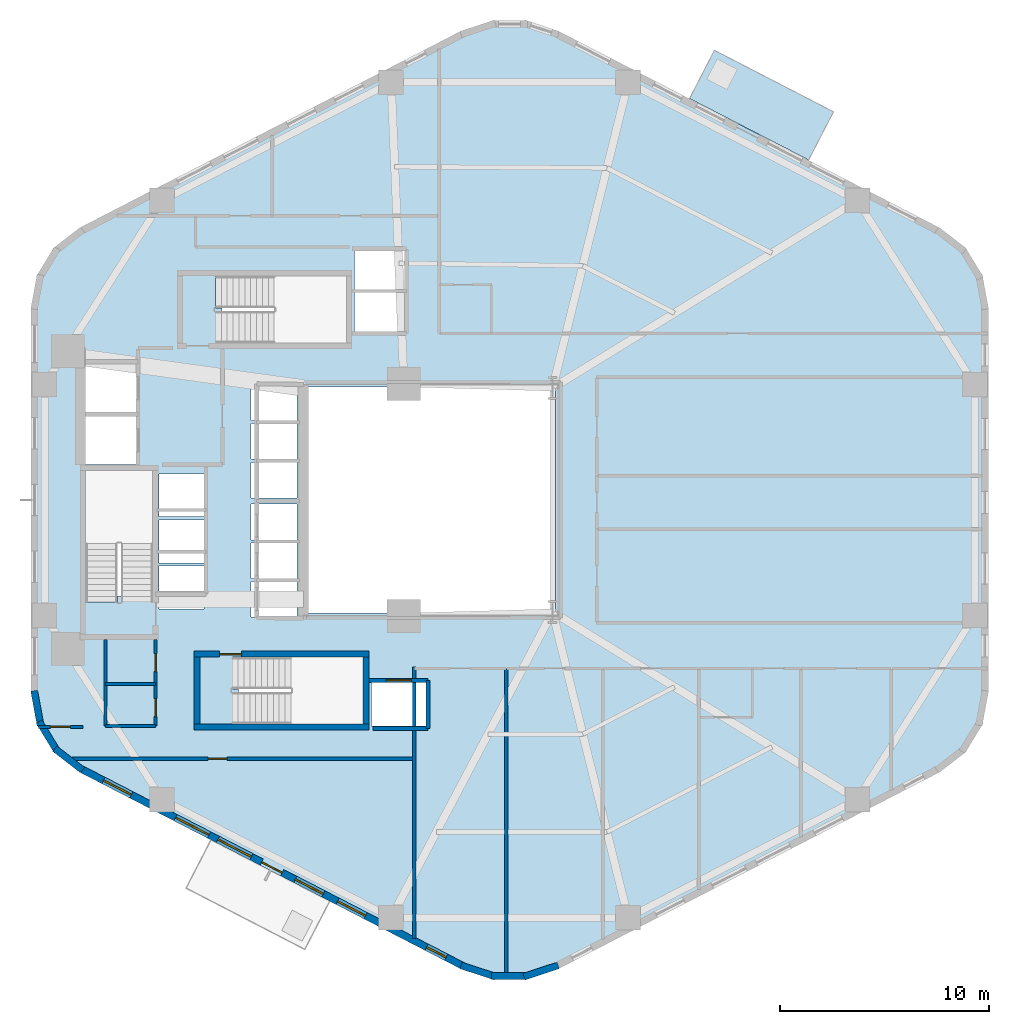
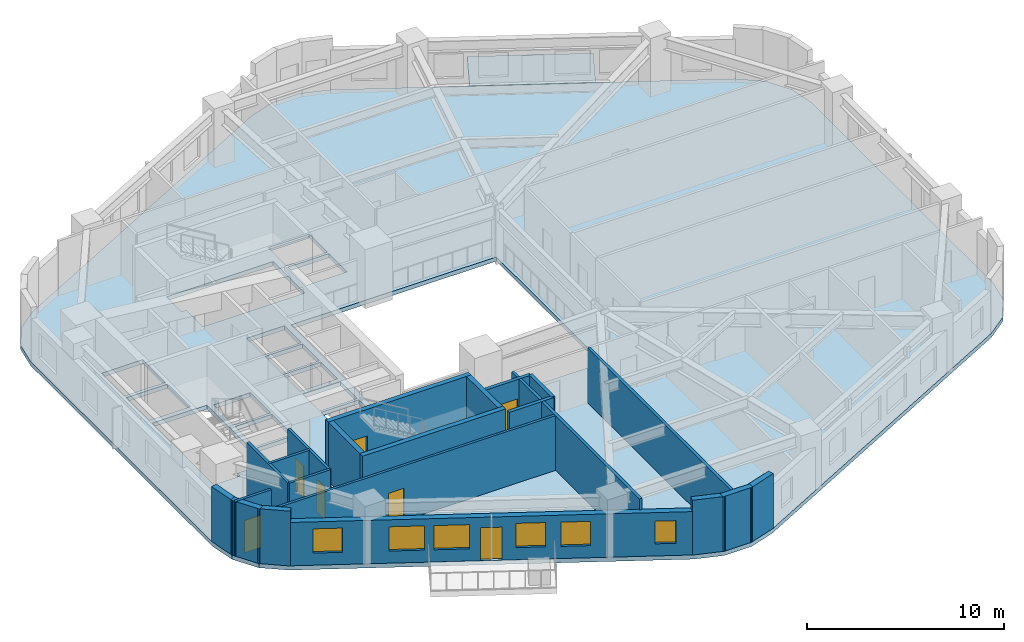
# One storey, part 2 of 8: 22 walls, 7 doors, 6 windows, 2 slabs, 13 openings.
"""IFC4 building model written with IfcOpenShell, lengths in metres."""

from ifc_helpers import new_model, si_unit, direction, frame, frame_2d, origin, place, context, subcontext, project, spatial, polyline, rectangle, outline, extrude, material, layer, layer_set, type_object, element, fill, save


model = new_model("IFC4")

# Units and contexts
model_context = context("Model", 3, precision=1e-05, world=origin(), true_north=direction((0.0, 1.0)))
body_context = subcontext(model_context, "Body", "Model", "MODEL_VIEW")
ifc_project = project(units=[si_unit("LENGTHUNIT", "METRE"), si_unit("AREAUNIT", "SQUARE_METRE"), si_unit("VOLUMEUNIT", "CUBIC_METRE"), si_unit("PLANEANGLEUNIT", "RADIAN"), si_unit("MASSUNIT", "GRAM", prefix="KILO"), si_unit("THERMODYNAMICTEMPERATUREUNIT", "KELVIN"), si_unit("POWERUNIT", "WATT")], contexts=[model_context])

# Site, building, storey
site_placement = place(None, origin())
site = spatial("IfcSite", under=ifc_project, at=site_placement, CompositionType="ELEMENT")
building_placement = place(site_placement, origin())
building = spatial("IfcBuilding", under=site, at=building_placement, Name="Skarre Station Tower", CompositionType="ELEMENT")
storey_placement = place(building_placement, frame((0.0, 0.0, 81.75)))
storey = spatial("IfcBuildingStorey", under=building, at=storey_placement, Name="L21", CompositionType="ELEMENT", Elevation=81.75)

# Slabs
ifc_material_1 = material(Name="Precast concrete C50/60", Category="concrete")
ifc_layer_1 = layer(ifc_material_1, 0.340087890625, Name="Precast concrete C50/60")
ifc_layer_set_1 = layer_set([ifc_layer_1], Name="Precast concrete C50/60")
slab_type_1 = type_object("IfcSlabType", Name="Planted Tree-Balcony Cantilever Slab 340", PredefinedType="FLOOR", material=ifc_layer_set_1)
slab_1_placement = place(storey_placement, frame((0.0, 0.0, -0.340087890625)))
element("IfcSlab", 1, at=slab_1_placement, inside=storey, type_object=slab_type_1, Name="L21 Planted Tree-Balcony Deck TB-L21-F0", PredefinedType="FLOOR", context=body_context, shape_type="SweptSolid", body=[
    extrude(outline(polyline([(51.679931640625, 40.240966796875), (45.991943359375, 43.176025390625), (47.179931640625, 45.47802734375), (52.867919921875, 42.54296875), (51.679931640625, 40.240966796875)])), origin(), (0.0, 0.0, 1.0), 0.340087890625),
])
ifc_material_2 = material(Name="Concrete C50/60", Category="concrete")
ifc_layer_2 = layer(ifc_material_2, 0.260009765625, Name="Concrete C50/60")
ifc_layer_set_2 = layer_set([ifc_layer_2], Name="Concrete C50/60")
slab_type_2 = type_object("IfcSlabType", Name="Tower Typical Composite Floor Slab 260", PredefinedType="FLOOR", material=ifc_layer_set_2)
slab_2_placement = place(storey_placement, frame((0.0, 0.0, -0.260009765625)))
element("IfcSlab", 2, at=slab_2_placement, inside=storey, type_object=slab_type_2, Name="L21 Zone 1 Structural Floor Slab", PredefinedType="FLOOR", context=body_context, shape_type="SweptSolid", body=[
    extrude(outline(polyline([(60.262939453125, 33.201904296875), (59.98193359375, 34.72412109375), (59.177001953125, 36.044921875), (57.9541015625, 36.991943359375), (39.708984375, 46.407958984375), (38.196044921875, 46.906005859375), (36.60400390625, 46.906005859375), (35.091064453125, 46.407958984375), (16.845947265625, 36.991943359375), (15.623046875, 36.044921875), (14.818115234375, 34.72412109375), (14.537109375, 33.201904296875), (14.537109375, 14.798095703125), (14.818115234375, 13.27587890625), (15.623046875, 11.955078125), (16.845947265625, 11.008056640625), (35.091064453125, 1.592041015625), (36.60400390625, 1.093994140625), (38.196044921875, 1.093994140625), (39.708984375, 1.592041015625), (57.9541015625, 11.008056640625), (59.177001953125, 11.955078125), (59.98193359375, 13.27587890625), (60.262939453125, 14.798095703125), (60.262939453125, 33.201904296875)]), holes=[polyline([(18.669921875, 19.419921875), (18.669921875, 19.123046875), (17.14990234375, 19.123046875), (17.14990234375, 25.39990234375), (20.35009765625, 25.39990234375), (20.35009765625, 19.419921875), (18.669921875, 19.419921875)]), polyline([(24.449951171875, 14.97998046875), (24.153076171875, 14.97998046875), (24.153076171875, 16.5), (30.39990234375, 16.5), (30.39990234375, 13.300048828125), (24.449951171875, 13.300048828125), (24.449951171875, 14.97998046875)]), polyline([(23.64990234375, 33.179931640625), (23.35302734375, 33.179931640625), (23.35302734375, 34.699951171875), (29.60009765625, 34.699951171875), (29.60009765625, 31.5), (23.64990234375, 31.5), (23.64990234375, 33.179931640625)]), polyline([(17.14990234375, 28.0), (19.550048828125, 28.0), (19.550048828125, 25.699951171875), (17.14990234375, 25.699951171875), (17.14990234375, 28.0)]), polyline([(17.14990234375, 30.5), (19.550048828125, 30.5), (19.550048828125, 28.199951171875), (17.14990234375, 28.199951171875), (17.14990234375, 30.5)]), polyline([(30.800048828125, 15.300048828125), (33.39990234375, 15.300048828125), (33.39990234375, 13.199951171875), (30.800048828125, 13.199951171875), (30.800048828125, 15.300048828125)]), polyline([(25.050048828125, 20.10009765625), (27.25, 20.10009765625), (27.25, 18.39990234375), (25.050048828125, 18.39990234375), (25.050048828125, 20.10009765625)]), polyline([(25.050048828125, 21.949951171875), (27.25, 21.949951171875), (27.25, 20.25), (25.050048828125, 20.25), (25.050048828125, 21.949951171875)]), polyline([(25.050048828125, 23.800048828125), (27.25, 23.800048828125), (27.25, 22.10009765625), (25.050048828125, 22.10009765625), (25.050048828125, 23.800048828125)]), polyline([(25.050048828125, 25.800048828125), (27.25, 25.800048828125), (27.25, 24.10009765625), (25.050048828125, 24.10009765625), (25.050048828125, 25.800048828125)]), polyline([(25.050048828125, 27.64990234375), (27.25, 27.64990234375), (27.25, 25.949951171875), (25.050048828125, 25.949951171875), (25.050048828125, 27.64990234375)]), polyline([(25.050048828125, 29.5), (27.25, 29.5), (27.25, 27.800048828125), (25.050048828125, 27.800048828125), (25.050048828125, 29.5)]), polyline([(20.64990234375, 20.85009765625), (22.800048828125, 20.85009765625), (22.800048828125, 18.800048828125), (20.64990234375, 18.800048828125), (20.64990234375, 20.85009765625)]), polyline([(20.64990234375, 23.050048828125), (22.800048828125, 23.050048828125), (22.800048828125, 21.0), (20.64990234375, 21.0), (20.64990234375, 23.050048828125)]), polyline([(20.64990234375, 25.25), (22.800048828125, 25.25), (22.800048828125, 23.199951171875), (20.64990234375, 23.199951171875), (20.64990234375, 25.25)]), polyline([(30.0, 33.89990234375), (32.39990234375, 33.89990234375), (32.39990234375, 32.050048828125), (30.0, 32.050048828125), (30.0, 33.89990234375)]), polyline([(30.0, 35.89990234375), (32.39990234375, 35.89990234375), (32.39990234375, 34.050048828125), (30.0, 34.050048828125), (30.0, 35.89990234375)]), polyline([(27.60009765625, 29.39990234375), (39.60009765625, 29.39990234375), (39.60009765625, 18.60009765625), (27.60009765625, 18.60009765625), (27.60009765625, 29.39990234375)])]), origin(), (0.0, 0.0, 1.0), 0.260009765625),
])

# Walls
ifc_material_3 = material(Name="Acoustic Steel-Stud Gypsum Partition", Category="steel")
ifc_layer_3 = layer(ifc_material_3, 0.14990234375, Name="Acoustic Steel-Stud Gypsum Partition")
ifc_layer_set_3 = layer_set([ifc_layer_3], Name="Acoustic Steel-Stud Gypsum Partition")
wall_type_1 = type_object("IfcWallType", Name="Fire-Rated Corridor Acoustic Partition 150", PredefinedType="PARTITIONING", material=ifc_layer_set_3)
wall_1_placement = place(storey_placement, frame((18.10009765625, 17.340087890625, 0.0), z_axis=(0.0, 0.0, 1.0), x_axis=(0.0, -1.0, 0.0)))
element("IfcWall", 3, at=wall_1_placement, inside=storey, type_object=wall_type_1, Name="L21 Interior Partition WL-PT-L21-CSVC-W", PredefinedType="PARTITIONING", context=body_context, shape_type="SweptSolid", body=[
    extrude(rectangle(XDim=4.14013671875, YDim=0.14990234375, at=frame_2d((2.070068359375, 0.0))), origin(), (0.0, 0.0, 1.0), 3.389892578125),
])
for number, where, z_axis, x_axis, name in (
    (4, (18.10009765625, 13.199951171875, 0.0), (0.0, 0.0, 1.0), (1.0, 0.0, 0.0), "L21 Interior Partition WL-PT-L21-CSVC-S"),
    (5, (18.10009765625, 15.219970703125, 0.0), (0.0, 0.0, 1.0), (1.0, 0.0, 0.0), "L21 Interior Partition WL-PT-L21-CSVC-M"),
):
    element("IfcWall", number, at=place(storey_placement, frame(where, z_axis=z_axis, x_axis=x_axis)), inside=storey, type_object=wall_type_1, Name=name, PredefinedType="PARTITIONING", context=body_context, shape_type="SweptSolid", body=[
        extrude(rectangle(XDim=2.389892578125, YDim=0.14990234375, at=frame_2d((1.19482421875, 0.0))), origin(), (0.0, 0.0, 1.0), 3.389892578125),
    ])

# Wall, openings, doors
wall_2_placement = place(storey_placement, frame((20.489990234375, 13.199951171875, 0.0), z_axis=(0.0, 0.0, 1.0), x_axis=(0.0, 1.0, 0.0)))
wall_2 = element("IfcWall", 6, at=wall_2_placement, inside=storey, type_object=wall_type_1, Name="L21 Interior Partition WL-PT-L21-CSVC-E", PredefinedType="PARTITIONING", context=body_context, shape_type="SweptSolid", body=[
    extrude(rectangle(XDim=4.14013671875, YDim=0.14990234375, at=frame_2d((2.070068359375, 0.0))), origin(), (0.0, 0.0, 1.0), 3.389892578125),
])
opening_1_placement = place(wall_2_placement, frame((0.449951171875, 0.0, 0.0)))
opening_1 = element("IfcOpeningElement", 7, at=opening_1_placement, cuts=wall_2, Name="Opening DR-SVC86", PredefinedType="OPENING", context=body_context, shape_type="SweptSolid", body=[
    extrude(rectangle(XDim=0.860107421875, YDim=2.0, at=frame_2d((0.43017578125, 1.0))), frame((0.0, 0.0849609375, 0.0), z_axis=(0.0, -1.0, 0.0), x_axis=(1.0, 0.0, 0.0)), (0.0, 0.0, 1.0), 0.169921875),
])
opening_2_placement = place(wall_2_placement, frame((2.60009765625, 0.0, 0.0)))
opening_2 = element("IfcOpeningElement", 8, at=opening_2_placement, cuts=wall_2, Name="Opening DR-SVC86", PredefinedType="OPENING", context=body_context, shape_type="SweptSolid", body=[
    extrude(rectangle(XDim=0.860107421875, YDim=2.0, at=frame_2d((0.43017578125, 1.0))), frame((0.0, 0.0849609375, 0.0), z_axis=(0.0, -1.0, 0.0), x_axis=(1.0, 0.0, 0.0)), (0.0, 0.0, 1.0), 0.169921875),
])
ifc_material_4 = material(Name="Powder-Coated Hollow-Metal Acoustic Fire Leaf", Category="steel")
door_type_1 = type_object("IfcDoorType", Name="Compact Riser Fire Door FD60 860x2100", OperationType="SINGLE_SWING_LEFT", PredefinedType="DOOR", material=ifc_material_4)
door_1_placement = place(opening_1_placement, origin())
door_1 = element("IfcDoor", 9, at=door_1_placement, inside=storey, type_object=door_type_1, Name="L21 Vending Room Door", OperationType="SINGLE_SWING_LEFT", OverallHeight=2.0, OverallWidth=0.860107421875, PredefinedType="DOOR", context=body_context, shape_type="SweptSolid", body=[
    extrude(rectangle(XDim=0.860107421875, YDim=2.0, at=frame_2d((0.43017578125, 1.0))), frame((0.0, 0.02490234375, 0.0), z_axis=(0.0, -1.0, 0.0), x_axis=(1.0, 0.0, 0.0)), (0.0, 0.0, 1.0), 0.050048828125),
])
fill(opening_1, door_1)
door_2_placement = place(opening_2_placement, origin())
door_2 = element("IfcDoor", 10, at=door_2_placement, inside=storey, type_object=door_type_1, Name="L21 Linen Storage Door", OperationType="SINGLE_SWING_LEFT", OverallHeight=2.0, OverallWidth=0.860107421875, PredefinedType="DOOR", context=body_context, shape_type="SweptSolid", body=[
    extrude(rectangle(XDim=0.860107421875, YDim=2.0, at=frame_2d((0.43017578125, 1.0))), frame((0.0, 0.02490234375, 0.0), z_axis=(0.0, -1.0, 0.0), x_axis=(1.0, 0.0, 0.0)), (0.0, 0.0, 1.0), 0.050048828125),
])
fill(opening_2, door_2)

# Wall, opening, door
wall_3_placement = place(storey_placement, frame((16.487060546875, 11.639892578125, 0.0), z_axis=(0.0, 0.0, 1.0), x_axis=(1.0, 0.0, 0.0)))
wall_3 = element("IfcWall", 11, at=wall_3_placement, inside=storey, type_object=wall_type_1, Name="L21 Interior Partition WL-PT-L21-SWP-N", PredefinedType="PARTITIONING", context=body_context, shape_type="SweptSolid", body=[
    extrude(rectangle(XDim=16.363037109375, YDim=0.14990234375, at=frame_2d((8.181640625, 0.0))), origin(), (0.0, 0.0, 1.0), 3.389892578125),
])
opening_3_placement = place(wall_3_placement, frame((6.512939453125, 0.0, 0.0)))
opening_3 = element("IfcOpeningElement", 12, at=opening_3_placement, cuts=wall_3, Name="Opening DR-SVC90", PredefinedType="OPENING", context=body_context, shape_type="SweptSolid", body=[
    extrude(rectangle(XDim=0.89990234375, YDim=2.0, at=frame_2d((0.449951171875, 1.0))), frame((0.0, 0.0849609375, 0.0), z_axis=(0.0, -1.0, 0.0), x_axis=(1.0, 0.0, 0.0)), (0.0, 0.0, 1.0), 0.169921875),
])
door_type_2 = type_object("IfcDoorType", Name="Service & Riser Fire Door FD60 900x2100", OperationType="SINGLE_SWING_LEFT", PredefinedType="DOOR", material=ifc_material_4)
door_3_placement = place(opening_3_placement, origin())
door_3 = element("IfcDoor", 13, at=door_3_placement, inside=storey, type_object=door_type_2, Name="L21 Floor Public Toilets Door", OperationType="SINGLE_SWING_LEFT", OverallHeight=2.0, OverallWidth=0.89990234375, PredefinedType="DOOR", context=body_context, shape_type="SweptSolid", body=[
    extrude(rectangle(XDim=0.89990234375, YDim=2.0, at=frame_2d((0.449951171875, 1.0))), frame((0.0, 0.02490234375, 0.0), z_axis=(0.0, -1.0, 0.0), x_axis=(1.0, 0.0, 0.0)), (0.0, 0.0, 1.0), 0.050048828125),
])
fill(opening_3, door_3)

wall_4_placement = place(storey_placement, frame((17.02001953125, 13.159912109375, 0.0), z_axis=(0.0, 0.0, 1.0), x_axis=(-1.0, 0.0, 0.0)))
wall_4 = element("IfcWall", 14, at=wall_4_placement, inside=storey, type_object=wall_type_1, Name="L21 Interior Partition WL-PT-L21-WW1-CW", PredefinedType="PARTITIONING", context=body_context, shape_type="SweptSolid", body=[
    extrude(rectangle(XDim=2.1201171875, YDim=0.14990234375, at=frame_2d((1.06005859375, 0.0))), origin(), (0.0, 0.0, 1.0), 3.389892578125),
])
opening_4_placement = place(wall_4_placement, frame((0.596923828125, 0.0, 0.0)))
opening_4 = element("IfcOpeningElement", 15, at=opening_4_placement, cuts=wall_4, Name="Opening DR-FD60", PredefinedType="OPENING", context=body_context, shape_type="SweptSolid", body=[
    extrude(rectangle(XDim=0.9599609375, YDim=2.0, at=frame_2d((0.47998046875, 1.0))), frame((0.0, 0.0849609375, 0.0), z_axis=(0.0, -1.0, 0.0), x_axis=(1.0, 0.0, 0.0)), (0.0, 0.0, 1.0), 0.169921875),
])
ifc_material_5 = material(Name="Nordic White-Oak Veneer Solid-Core Fire Leaf", Category="wood")
door_type_3 = type_object("IfcDoorType", Name="Corridor Suite Entry Fire Door FD60 960x2150", OperationType="SINGLE_SWING_LEFT", PredefinedType="DOOR", material=ifc_material_5)
door_4_placement = place(opening_4_placement, origin())
door_4 = element("IfcDoor", 16, at=door_4_placement, inside=storey, type_object=door_type_3, Name="L21 WW1 Entry Door", OperationType="SINGLE_SWING_LEFT", OverallHeight=2.0, OverallWidth=0.9599609375, PredefinedType="DOOR", context=body_context, shape_type="SweptSolid", body=[
    extrude(rectangle(XDim=0.9599609375, YDim=2.0, at=frame_2d((0.47998046875, 1.0))), frame((0.0, 0.02490234375, 0.0), z_axis=(0.0, -1.0, 0.0), x_axis=(1.0, 0.0, 0.0)), (0.0, 0.0, 1.0), 0.050048828125),
])
fill(opening_4, door_4)

# Wall, openings, windows, door
ifc_material_6 = material(Name="Precast concrete C45/55", Category="concrete")
ifc_layer_4 = layer(ifc_material_6, 0.340087890625, Name="Precast concrete C45/55")
ifc_layer_set_4 = layer_set([ifc_layer_4], Name="Precast concrete C45/55")
wall_type_2 = type_object("IfcWallType", Name="Nordic Honed Precast Facet Wall 340", PredefinedType="STANDARD", material=ifc_layer_set_4)
wall_5_placement = place(storey_placement, frame((35.1689453125, 1.742919921875, 0.0), z_axis=(0.0, 0.0, 1.0), x_axis=(-0.888634413993, 0.458616264721, 0.0)))
wall_5 = element("IfcWall", 17, at=wall_5_placement, inside=storey, type_object=wall_type_2, Name="L21 Facet 3 Nordic Precast Masonry Wall", PredefinedType="STANDARD", context=body_context, shape_type="SweptSolid", body=[
    extrude(rectangle(XDim=20.53125, YDim=0.340087890625, at=frame_2d((10.265625, 0.0))), origin(), (0.0, 0.0, 1.0), 2.68408203125),
])
opening_5_placement = place(wall_5_placement, frame((9.716064453125, 0.0, 0.0)))
opening_5 = element("IfcOpeningElement", 18, at=opening_5_placement, cuts=wall_5, Name="Opening DR-BAL110", PredefinedType="OPENING", context=body_context, shape_type="SweptSolid", body=[
    extrude(rectangle(XDim=1.10009765625, YDim=2.0400390625, at=frame_2d((0.550048828125, 1.02001953125))), frame((0.0, 0.179931640625, 0.0), z_axis=(0.0, -1.0, 0.0), x_axis=(1.0, 0.0, 0.0)), (0.0, 0.0, 1.0), 0.360107421875),
])
opening_6_placement = place(wall_5_placement, frame((0.902099609375, 0.0, 0.75)))
opening_6 = element("IfcOpeningElement", 19, at=opening_6_placement, cuts=wall_5, Name="Opening WN-SLT", PredefinedType="OPENING", context=body_context, shape_type="SweptSolid", body=[
    extrude(rectangle(XDim=1.050048828125, YDim=1.39990234375, at=frame_2d((0.52490234375, 0.699951171875))), frame((0.0, 0.179931640625, 0.0), z_axis=(0.0, -1.0, 0.0), x_axis=(1.0, 0.0, 0.0)), (0.0, 0.0, 1.0), 0.360107421875),
])
opening_7_placement = place(wall_5_placement, frame((5.23388671875, 0.0, 0.75)))
opening_7 = element("IfcOpeningElement", 20, at=opening_7_placement, cuts=wall_5, Name="Opening WN-Z1B", PredefinedType="OPENING", context=body_context, shape_type="SweptSolid", body=[
    extrude(rectangle(XDim=1.5, YDim=1.5, at=frame_2d((0.75, 0.75))), frame((0.0, 0.179931640625, 0.0), z_axis=(0.0, -1.0, 0.0), x_axis=(1.0, 0.0, 0.0)), (0.0, 0.0, 1.0), 0.360107421875),
])
opening_8_placement = place(wall_5_placement, frame((7.509033203125, 0.0, 0.75)))
opening_8 = element("IfcOpeningElement", 21, at=opening_8_placement, cuts=wall_5, Name="Opening WN-Z1B", PredefinedType="OPENING", context=body_context, shape_type="SweptSolid", body=[
    extrude(rectangle(XDim=1.5, YDim=1.5, at=frame_2d((0.75, 0.75))), frame((0.0, 0.179931640625, 0.0), z_axis=(0.0, -1.0, 0.0), x_axis=(1.0, 0.0, 0.0)), (0.0, 0.0, 1.0), 0.360107421875),
])
opening_9_placement = place(wall_5_placement, frame((11.373046875, 0.0, 0.75)))
opening_9 = element("IfcOpeningElement", 22, at=opening_9_placement, cuts=wall_5, Name="Opening WN-Z1A", PredefinedType="OPENING", context=body_context, shape_type="SweptSolid", body=[
    extrude(rectangle(XDim=1.800048828125, YDim=1.5, at=frame_2d((0.89990234375, 0.75))), frame((0.0, 0.179931640625, 0.0), z_axis=(0.0, -1.0, 0.0), x_axis=(1.0, 0.0, 0.0)), (0.0, 0.0, 1.0), 0.360107421875),
])
opening_10_placement = place(wall_5_placement, frame((13.64794921875, 0.0, 0.75)))
opening_10 = element("IfcOpeningElement", 23, at=opening_10_placement, cuts=wall_5, Name="Opening WN-Z1A", PredefinedType="OPENING", context=body_context, shape_type="SweptSolid", body=[
    extrude(rectangle(XDim=1.800048828125, YDim=1.5, at=frame_2d((0.89990234375, 0.75))), frame((0.0, 0.179931640625, 0.0), z_axis=(0.0, -1.0, 0.0), x_axis=(1.0, 0.0, 0.0)), (0.0, 0.0, 1.0), 0.360107421875),
])
opening_11_placement = place(wall_5_placement, frame((17.822998046875, 0.0, 0.75)))
opening_11 = element("IfcOpeningElement", 24, at=opening_11_placement, cuts=wall_5, Name="Opening WN-Z1B", PredefinedType="OPENING", context=body_context, shape_type="SweptSolid", body=[
    extrude(rectangle(XDim=1.5, YDim=1.5, at=frame_2d((0.75, 0.75))), frame((0.0, 0.179931640625, 0.0), z_axis=(0.0, -1.0, 0.0), x_axis=(1.0, 0.0, 0.0)), (0.0, 0.0, 1.0), 0.360107421875),
])
ifc_material_7 = material(Name="Low-Iron Triple Glazing with Bronze Anodized Frame", Category="glass")
window_type_1 = type_object("IfcWindowType", Name="Nordic Corner Slot Window 1050x1400", PartitioningType="SINGLE_PANEL", PredefinedType="WINDOW", material=ifc_material_7)
window_1_placement = place(opening_6_placement, origin())
window_1 = element("IfcWindow", 25, at=window_1_placement, inside=storey, type_object=window_type_1, Name="L21 Facade Window WL-FAC-L21-F3-1", OverallHeight=1.39990234375, OverallWidth=1.050048828125, PartitioningType="SINGLE_PANEL", PredefinedType="WINDOW", context=body_context, shape_type="SweptSolid", body=[
    extrude(rectangle(XDim=1.050048828125, YDim=1.39990234375, at=frame_2d((0.52490234375, 0.699951171875))), frame((0.0, 0.030029296875, 0.0), z_axis=(0.0, -1.0, 0.0), x_axis=(1.0, 0.0, 0.0)), (0.0, 0.0, 1.0), 0.06005859375),
])
fill(opening_6, window_1)
window_type_2 = type_object("IfcWindowType", Name="Nordic Punched Triple-Glazed Window 1500x1500", PartitioningType="SINGLE_PANEL", PredefinedType="WINDOW", material=ifc_material_7)
window_2_placement = place(opening_7_placement, origin())
window_2 = element("IfcWindow", 26, at=window_2_placement, inside=storey, type_object=window_type_2, Name="L21 Facade Window WL-FAC-L21-F3-2", OverallHeight=1.5, OverallWidth=1.5, PartitioningType="SINGLE_PANEL", PredefinedType="WINDOW", context=body_context, shape_type="SweptSolid", body=[
    extrude(rectangle(XDim=1.5, YDim=1.5, at=frame_2d((0.75, 0.75))), frame((0.0, 0.030029296875, 0.0), z_axis=(0.0, -1.0, 0.0), x_axis=(1.0, 0.0, 0.0)), (0.0, 0.0, 1.0), 0.06005859375),
])
fill(opening_7, window_2)
window_3_placement = place(opening_8_placement, origin())
window_3 = element("IfcWindow", 27, at=window_3_placement, inside=storey, type_object=window_type_2, Name="L21 Facade Window WL-FAC-L21-F3-3", OverallHeight=1.5, OverallWidth=1.5, PartitioningType="SINGLE_PANEL", PredefinedType="WINDOW", context=body_context, shape_type="SweptSolid", body=[
    extrude(rectangle(XDim=1.5, YDim=1.5, at=frame_2d((0.75, 0.75))), frame((0.0, 0.030029296875, 0.0), z_axis=(0.0, -1.0, 0.0), x_axis=(1.0, 0.0, 0.0)), (0.0, 0.0, 1.0), 0.06005859375),
])
fill(opening_8, window_3)
window_4_placement = place(opening_11_placement, origin())
window_4 = element("IfcWindow", 28, at=window_4_placement, inside=storey, type_object=window_type_2, Name="L21 Facade Window WL-FAC-L21-F3-6", OverallHeight=1.5, OverallWidth=1.5, PartitioningType="SINGLE_PANEL", PredefinedType="WINDOW", context=body_context, shape_type="SweptSolid", body=[
    extrude(rectangle(XDim=1.5, YDim=1.5, at=frame_2d((0.75, 0.75))), frame((0.0, 0.030029296875, 0.0), z_axis=(0.0, -1.0, 0.0), x_axis=(1.0, 0.0, 0.0)), (0.0, 0.0, 1.0), 0.06005859375),
])
fill(opening_11, window_4)
window_type_3 = type_object("IfcWindowType", Name="Nordic Punched Triple-Glazed Window 1800x1500", PartitioningType="SINGLE_PANEL", PredefinedType="WINDOW", material=ifc_material_7)
window_5_placement = place(opening_9_placement, origin())
window_5 = element("IfcWindow", 29, at=window_5_placement, inside=storey, type_object=window_type_3, Name="L21 Facade Window WL-FAC-L21-F3-4", OverallHeight=1.5, OverallWidth=1.800048828125, PartitioningType="SINGLE_PANEL", PredefinedType="WINDOW", context=body_context, shape_type="SweptSolid", body=[
    extrude(rectangle(XDim=1.800048828125, YDim=1.5, at=frame_2d((0.89990234375, 0.75))), frame((0.0, 0.030029296875, 0.0), z_axis=(0.0, -1.0, 0.0), x_axis=(1.0, 0.0, 0.0)), (0.0, 0.0, 1.0), 0.06005859375),
])
fill(opening_9, window_5)
window_6_placement = place(opening_10_placement, origin())
window_6 = element("IfcWindow", 30, at=window_6_placement, inside=storey, type_object=window_type_3, Name="L21 Facade Window WL-FAC-L21-F3-5", OverallHeight=1.5, OverallWidth=1.800048828125, PartitioningType="SINGLE_PANEL", PredefinedType="WINDOW", context=body_context, shape_type="SweptSolid", body=[
    extrude(rectangle(XDim=1.800048828125, YDim=1.5, at=frame_2d((0.89990234375, 0.75))), frame((0.0, 0.030029296875, 0.0), z_axis=(0.0, -1.0, 0.0), x_axis=(1.0, 0.0, 0.0)), (0.0, 0.0, 1.0), 0.06005859375),
])
fill(opening_10, window_6)
ifc_material_8 = material(Name="Thermally Broken Aluminium & Triple Glazing", Category="aluminium")
door_type_4 = type_object("IfcDoorType", Name="Terrace & Tree-Balcony Glazed Door 1100x2200", OperationType="SINGLE_SWING_LEFT", PredefinedType="DOOR", material=ifc_material_8)
door_5_placement = place(opening_5_placement, origin())
door_5 = element("IfcDoor", 31, at=door_5_placement, inside=storey, type_object=door_type_4, Name="L21 TB-L21-F3 Tree-Balcony Glazed Door", OperationType="SINGLE_SWING_LEFT", OverallHeight=2.0400390625, OverallWidth=1.10009765625, PredefinedType="DOOR", context=body_context, shape_type="SweptSolid", body=[
    extrude(rectangle(XDim=1.10009765625, YDim=2.0400390625, at=frame_2d((0.550048828125, 1.02001953125))), frame((0.0, 0.02490234375, 0.0), z_axis=(0.0, -1.0, 0.0), x_axis=(1.0, 0.0, 0.0)), (0.0, 0.0, 1.0), 0.050048828125),
])
fill(opening_5, door_5)

# Walls
ifc_layer_5 = layer(ifc_material_6, 0.330078125, Name="Precast concrete C45/55")
ifc_layer_set_5 = layer_set([ifc_layer_5], Name="Precast concrete C45/55")
wall_type_3 = type_object("IfcWallType", Name="Nordic Rounded Corner Precast Wall 330", PredefinedType="STANDARD", material=ifc_layer_set_5)
wall_6_placement = place(storey_placement, frame((16.998046875, 11.09912109375, 0.0), z_axis=(0.0, 0.0, 1.0), x_axis=(-0.790691856293, 0.61221433207, 0.0)))
element("IfcWall", 32, at=wall_6_placement, inside=storey, type_object=wall_type_3, Name="L21 Rounded Corner Precast Wall F3-1", PredefinedType="STANDARD", context=body_context, shape_type="SweptSolid", body=[
    extrude(rectangle(XDim=1.67578125, YDim=0.330078125, at=frame_2d((0.837890625, 0.0))), origin(), (0.0, 0.0, 1.0), 3.389892578125),
])
wall_7_placement = place(storey_placement, frame((15.798095703125, 11.985107421875, 0.0), z_axis=(0.0, 0.0, 1.0), x_axis=(-0.520584129191, 0.853810379671, 0.0)))
element("IfcWall", 33, at=wall_7_placement, inside=storey, type_object=wall_type_3, Name="L21 Rounded Corner Precast Wall F3-2", PredefinedType="STANDARD", context=body_context, shape_type="SweptSolid", body=[
    extrude(rectangle(XDim=1.677001953125, YDim=0.330078125, at=frame_2d((0.83837890625, 0.0))), origin(), (0.0, 0.0, 1.0), 3.389892578125),
])
wall_8_placement = place(storey_placement, frame((14.991943359375, 13.241943359375, 0.0), z_axis=(0.0, 0.0, 1.0), x_axis=(-0.181714143354, 0.983351397063, 0.0)))
element("IfcWall", 34, at=wall_8_placement, inside=storey, type_object=wall_type_3, Name="L21 Rounded Corner Precast Wall F3-3", PredefinedType="STANDARD", context=body_context, shape_type="SweptSolid", body=[
    extrude(rectangle(XDim=1.677978515625, YDim=0.330078125, at=frame_2d((0.8388671875, 0.0))), origin(), (0.0, 0.0, 1.0), 3.389892578125),
])
wall_9_placement = place(storey_placement, frame((39.718994140625, 1.76904296875, 0.0), z_axis=(0.0, 0.0, 1.0), x_axis=(-0.94976901097, -0.312951794691, 0.0)))
element("IfcWall", 35, at=wall_9_placement, inside=storey, type_object=wall_type_3, Name="L21 Rounded Corner Precast Wall F4-1", PredefinedType="STANDARD", context=body_context, shape_type="SweptSolid", body=[
    extrude(rectangle(XDim=1.722412109375, YDim=0.330078125, at=frame_2d((0.861328125, 0.0))), origin(), (0.0, 0.0, 1.0), 3.389892578125),
])
wall_10_placement = place(storey_placement, frame((38.260986328125, 1.259033203125, 0.0), z_axis=(0.0, 0.0, 1.0), x_axis=(-1.0, 0.0, 0.0)))
element("IfcWall", 36, at=wall_10_placement, inside=storey, type_object=wall_type_3, Name="L21 Rounded Corner Precast Wall F4-2", PredefinedType="STANDARD", context=body_context, shape_type="SweptSolid", body=[
    extrude(rectangle(XDim=1.721923828125, YDim=0.330078125, at=frame_2d((0.86083984375, 0.0))), origin(), (0.0, 0.0, 1.0), 3.389892578125),
])
wall_11_placement = place(storey_placement, frame((36.717041015625, 1.22998046875, 0.0), z_axis=(0.0, 0.0, 1.0), x_axis=(-0.94976901097, 0.312951794691, 0.0)))
element("IfcWall", 37, at=wall_11_placement, inside=storey, type_object=wall_type_3, Name="L21 Rounded Corner Precast Wall F4-3", PredefinedType="STANDARD", context=body_context, shape_type="SweptSolid", body=[
    extrude(rectangle(XDim=1.722412109375, YDim=0.330078125, at=frame_2d((0.861328125, 0.0))), origin(), (0.0, 0.0, 1.0), 3.389892578125),
])
ifc_layer_6 = layer(ifc_material_2, 0.280029296875, Name="Concrete C50/60")
ifc_layer_set_6 = layer_set([ifc_layer_6], Name="Concrete C50/60")
wall_type_4 = type_object("IfcWallType", Name="RC Core Shear Wall 280", PredefinedType="SHEAR", material=ifc_layer_set_6)
wall_12_placement = place(storey_placement, frame((22.320068359375, 13.159912109375, 0.0), z_axis=(0.0, 0.0, 1.0), x_axis=(1.0, 0.0, 0.0)))
element("IfcWall", 38, at=wall_12_placement, inside=storey, type_object=wall_type_4, Name="L21 Stair ST-2 South Shear Wall", PredefinedType="SHEAR", context=body_context, shape_type="SweptSolid", body=[
    extrude(rectangle(XDim=8.35986328125, YDim=0.280029296875, at=frame_2d((4.179931640625, 0.0))), origin(), (0.0, 0.0, 1.0), 3.64990234375),
])

# Wall, opening, door
wall_13_placement = place(storey_placement, frame((30.679931640625, 16.639892578125, 0.0), z_axis=(0.0, 0.0, 1.0), x_axis=(-1.0, 0.0, 0.0)))
wall_13 = element("IfcWall", 39, at=wall_13_placement, inside=storey, type_object=wall_type_4, Name="L21 Stair ST-2 North Shear Wall", PredefinedType="SHEAR", context=body_context, shape_type="SweptSolid", body=[
    extrude(rectangle(XDim=8.35986328125, YDim=0.280029296875, at=frame_2d((4.179931640625, 0.0))), origin(), (0.0, 0.0, 1.0), 3.64990234375),
])
opening_12_placement = place(wall_13_placement, frame((6.080078125, 0.0, 0.0)))
opening_12 = element("IfcOpeningElement", 40, at=opening_12_placement, cuts=wall_13, Name="Opening DR-FD90", PredefinedType="OPENING", context=body_context, shape_type="SweptSolid", body=[
    extrude(rectangle(XDim=1.050048828125, YDim=2.0, at=frame_2d((0.52490234375, 1.0))), frame((0.0, 0.14990234375, 0.0), z_axis=(0.0, -1.0, 0.0), x_axis=(1.0, 0.0, 0.0)), (0.0, 0.0, 1.0), 0.300048828125),
])
ifc_material_9 = material(Name="Fire-Rated Insulated Steel Frame & Timber Core Leaf", Category="steel")
door_type_5 = type_object("IfcDoorType", Name="Stair & FSAE Lobby Fire Door FD90 1050x2150", OperationType="SINGLE_SWING_RIGHT", PredefinedType="DOOR", material=ifc_material_9)
door_6_placement = place(opening_12_placement, origin())
door_6 = element("IfcDoor", 41, at=door_6_placement, inside=storey, type_object=door_type_5, Name="L21 Stair ST-2 Exit Door", OperationType="SINGLE_SWING_RIGHT", OverallHeight=2.0, OverallWidth=1.050048828125, PredefinedType="DOOR", context=body_context, shape_type="SweptSolid", body=[
    extrude(rectangle(XDim=1.050048828125, YDim=2.0, at=frame_2d((0.52490234375, 1.0))), frame((0.0, 0.02490234375, 0.0), z_axis=(0.0, -1.0, 0.0), x_axis=(1.0, 0.0, 0.0)), (0.0, 0.0, 1.0), 0.050048828125),
])
fill(opening_12, door_6)

# Walls
for number, where, z_axis, x_axis, name in (
    (42, (22.4599609375, 16.5, 0.0), (0.0, 0.0, 1.0), (0.0, -1.0, 0.0), "L21 Stair ST-2 West Shear Wall"),
    (43, (30.5400390625, 13.300048828125, 0.0), (0.0, 0.0, 1.0), (0.0, 1.0, 0.0), "L21 Stair ST-2 East Shear Wall"),
):
    element("IfcWall", number, at=place(storey_placement, frame(where, z_axis=z_axis, x_axis=x_axis)), inside=storey, type_object=wall_type_4, Name=name, PredefinedType="SHEAR", context=body_context, shape_type="SweptSolid", body=[
        extrude(rectangle(XDim=3.199951171875, YDim=0.280029296875, at=frame_2d((1.60009765625, 0.0))), origin(), (0.0, 0.0, 1.0), 3.64990234375),
    ])

# Wall, opening, door
ifc_material_10 = material(Name="Gypsum Concrete Shaft Assembly C30/37", Category="concrete")
ifc_layer_7 = layer(ifc_material_10, 0.199951171875, Name="Gypsum Concrete Shaft Assembly C30/37")
ifc_layer_set_7 = layer_set([ifc_layer_7], Name="Gypsum Concrete Shaft Assembly C30/37")
wall_type_5 = type_object("IfcWallType", Name="Shaft & Core Fire Partition 200", PredefinedType="PARTITIONING", material=ifc_layer_set_7)
wall_14_placement = place(storey_placement, frame((33.5, 15.3798828125, 0.0), z_axis=(0.0, 0.0, 1.0), x_axis=(-1.0, 0.0, 0.0)))
wall_14 = element("IfcWall", 44, at=wall_14_placement, inside=storey, type_object=wall_type_5, Name="L21 Interior Partition WL-PT-L21-SV1-N", PredefinedType="PARTITIONING", context=body_context, shape_type="SweptSolid", body=[
    extrude(rectangle(XDim=2.820068359375, YDim=0.199951171875, at=frame_2d((1.41015625, 0.0))), origin(), (0.0, 0.0, 1.0), 3.389892578125),
])
opening_13_placement = place(wall_14_placement, frame((0.800048828125, 0.0, 0.0)))
opening_13 = element("IfcOpeningElement", 45, at=opening_13_placement, cuts=wall_14, Name="Opening LD-SV1", PredefinedType="OPENING", context=body_context, shape_type="SweptSolid", body=[
    extrude(rectangle(XDim=1.199951171875, YDim=2.199951171875, at=frame_2d((0.60009765625, 1.10009765625))), frame((0.0, 0.10986328125, 0.0), z_axis=(0.0, -1.0, 0.0), x_axis=(1.0, 0.0, 0.0)), (0.0, 0.0, 1.0), 0.219970703125),
])
ifc_material_11 = material(Name="Heavy-Gauge Brushed Stainless Steel Sliding Leaves", Category="steel")
door_type_6 = type_object("IfcDoorType", Name="Service Elevator Wide Sliding Landing Door 1200x2200", OperationType="SLIDING_TO_RIGHT", PredefinedType="DOOR", material=ifc_material_11)
door_7_placement = place(opening_13_placement, origin())
door_7 = element("IfcDoor", 46, at=door_7_placement, inside=storey, type_object=door_type_6, Name="L21 Service Lift LF-SV1 Landing Door", OperationType="SLIDING_TO_RIGHT", OverallHeight=2.199951171875, OverallWidth=1.199951171875, PredefinedType="DOOR", context=body_context, shape_type="SweptSolid", body=[
    extrude(rectangle(XDim=1.199951171875, YDim=2.199951171875, at=frame_2d((0.60009765625, 1.10009765625))), frame((0.0, 0.02490234375, 0.0), z_axis=(0.0, -1.0, 0.0), x_axis=(1.0, 0.0, 0.0)), (0.0, 0.0, 1.0), 0.050048828125),
])
fill(opening_13, door_7)

# Walls
wall_15_placement = place(storey_placement, frame((33.5, 13.080078125, 0.0), z_axis=(0.0, 0.0, 1.0), x_axis=(0.0, 1.0, 0.0)))
element("IfcWall", 47, at=wall_15_placement, inside=storey, type_object=wall_type_5, Name="L21 Interior Partition WL-PT-L21-SV1-E", PredefinedType="PARTITIONING", context=body_context, shape_type="SweptSolid", body=[
    extrude(rectangle(XDim=2.2998046875, YDim=0.199951171875, at=frame_2d((1.14990234375, 0.0))), origin(), (0.0, 0.0, 1.0), 3.389892578125),
])
wall_16_placement = place(storey_placement, frame((30.87890625, 13.080078125, 0.0), z_axis=(0.0, 0.0, 1.0), x_axis=(1.0, 0.0, 0.0)))
element("IfcWall", 48, at=wall_16_placement, inside=storey, type_object=wall_type_5, Name="L21 Interior Partition WL-PT-L21-SV1-S", PredefinedType="PARTITIONING", context=body_context, shape_type="SweptSolid", body=[
    extrude(rectangle(XDim=2.62109375, YDim=0.199951171875, at=frame_2d((1.310546875, 0.0))), origin(), (0.0, 0.0, 1.0), 3.389892578125),
])
ifc_layer_8 = layer(ifc_material_3, 0.1650390625, Name="Acoustic Steel-Stud Gypsum Partition")
ifc_layer_set_8 = layer_set([ifc_layer_8], Name="Acoustic Steel-Stud Gypsum Partition")
wall_type_6 = type_object("IfcWallType", Name="Suite Demising Acoustic Partition 165", PredefinedType="PARTITIONING", material=ifc_layer_set_8)
wall_17_placement = place(storey_placement, frame((32.85009765625, 3.06396484375, 0.0), z_axis=(0.0, 0.0, 1.0), x_axis=(0.0, 1.0, 0.0)))
element("IfcWall", 49, at=wall_17_placement, inside=storey, type_object=wall_type_6, Name="L21 Interior Partition WL-PT-L21-SWP-E", PredefinedType="PARTITIONING", context=body_context, shape_type="SweptSolid", body=[
    extrude(rectangle(XDim=12.966064453125, YDim=0.1650390625, at=frame_2d((6.48291015625, 0.0))), origin(), (0.0, 0.0, 1.0), 3.389892578125),
])
wall_18_placement = place(storey_placement, frame((37.2470703125, 1.384033203125, 0.0), z_axis=(0.0, 0.0, 1.0), x_axis=(0.0, 1.0, 0.0)))
element("IfcWall", 50, at=wall_18_placement, inside=storey, type_object=wall_type_6, Name="L21 Interior Partition WL-PT-L21-SW-P1", PredefinedType="PARTITIONING", context=body_context, shape_type="SweptSolid", body=[
    extrude(rectangle(XDim=14.5458984375, YDim=0.1650390625, at=frame_2d((7.27294921875, 0.0))), origin(), (0.0, 0.0, 1.0), 3.389892578125),
])

save(model, "model.ifc")
